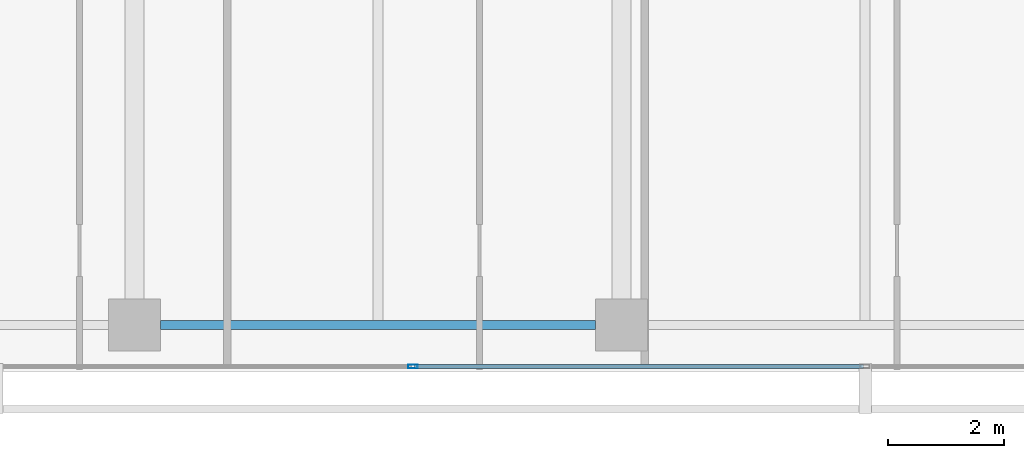
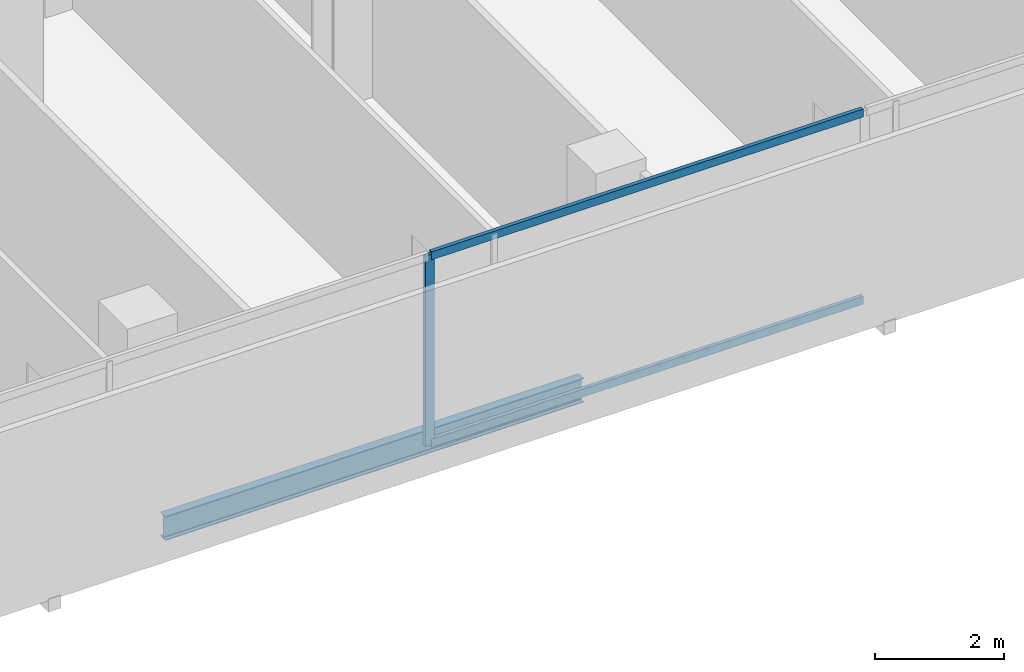
# One storey, part 7 of 41: 3 members, 1 beam, 1 element without a shape of its own.
"""IFC4 building model written with IfcOpenShell, lengths in metres."""

from ifc_helpers import new_model, si_unit, direction, frame, origin, origin_2d, place, context, subcontext, project, spatial, hollow_rectangle, i_section, extrude, material, layer, layer_set, material_profile, profile_set, type_object, element, aggregate, save


model = new_model("IFC4")

# Units and contexts
model_context = context("Model", 3, precision=1e-05, world=origin(), true_north=direction((0.0, 1.0)))
body_context = subcontext(model_context, "Body", "Model", "MODEL_VIEW")
ifc_project = project(units=[si_unit("LENGTHUNIT", "METRE"), si_unit("AREAUNIT", "SQUARE_METRE"), si_unit("VOLUMEUNIT", "CUBIC_METRE"), si_unit("PLANEANGLEUNIT", "RADIAN"), si_unit("MASSUNIT", "GRAM", prefix="KILO")], contexts=[model_context])

# Site, building, storey
site_placement = place(None, origin())
site = spatial("IfcSite", under=ifc_project, at=site_placement, CompositionType="ELEMENT")
building_placement = place(site_placement, origin())
building = spatial("IfcBuilding", under=site, at=building_placement, Name="Maruvema Waterfront Hotel and Observation Tower", CompositionType="ELEMENT")
storey_placement = place(building_placement, frame((0.0, 0.0, 84.699951171875)))
storey = spatial("IfcBuildingStorey", under=building, at=storey_placement, Name="L20", CompositionType="ELEMENT", Elevation=84.699951171875)

# Curtain wall, members
ifc_material_1 = material(Name="Anodised bronze aluminium and solar-control low-E IGU", Category="aluminium")
ifc_layer = layer(ifc_material_1, 0.159912109375, Name="Zone 1 Bronze Inner Thermal Curtain Wall System CW-02")
ifc_layer_set = layer_set([ifc_layer], Name="Anodised bronze aluminium and solar-control low-E IGU")
curtain_wall_type = type_object("IfcCurtainWallType", Name="Zone 1 Bronze Inner Thermal Curtain Wall System CW-02", PredefinedType="USERDEFINED", material=ifc_layer_set)
curtain_wall_placement = place(storey_placement, origin())
curtain_wall = element("IfcCurtainWall", 1, at=curtain_wall_placement, inside=storey, type_object=curtain_wall_type, Name="L20 Curtain Wall CW-L20-S", ObjectType="UNITISED CURTAIN WALL", PredefinedType="USERDEFINED")
ifc_material_2 = material(Name="Anodised architectural bronze aluminium", Category="aluminium")
ifc_material_profile_1 = material_profile(ifc_material_2, hollow_rectangle(XDim=0.070068359375, YDim=0.14990234375, WallThickness=0.00390625, at=origin_2d()), Name="ALU-T70x150")
ifc_profile_set_1 = profile_set([ifc_material_profile_1], Name="Anodised architectural bronze aluminium")
member_type_1 = type_object("IfcMemberType", Name="Curtain Wall Horizontal Transom ALU-T70x150", PredefinedType="USERDEFINED", material=ifc_profile_set_1)
member_1_placement = place(storey_placement, frame((30.030029296875, 0.080078125, 0.030029296875), z_axis=(1.0, 0.0, 0.0), x_axis=(0.0, 1.0, 0.0)))
member_1 = element("IfcMember", 2, at=member_1_placement, type_object=member_type_1, Name="CW-02 transom 3.1", ObjectType="TRANSOM", PredefinedType="USERDEFINED", context=body_context, shape_type="SweptSolid", body=[
    extrude(hollow_rectangle(XDim=0.070068359375, YDim=0.14990234375, WallThickness=0.00390625, at=origin_2d()), origin(), (0.0, 0.0, 1.0), 7.739990234375),
])
member_2_placement = place(storey_placement, frame((30.030029296875, 0.080078125, 3.580078125), z_axis=(1.0, 0.0, 0.0), x_axis=(0.0, 1.0, 0.0)))
member_2 = element("IfcMember", 3, at=member_2_placement, type_object=member_type_1, Name="CW-02 transom 3.2", ObjectType="TRANSOM", PredefinedType="USERDEFINED", context=body_context, shape_type="SweptSolid", body=[
    extrude(hollow_rectangle(XDim=0.070068359375, YDim=0.14990234375, WallThickness=0.00390625, at=origin_2d()), origin(), (0.0, 0.0, 1.0), 7.739990234375),
])
ifc_material_3 = material(Name="Anodised architectural bronze aluminium", Category="aluminium")
ifc_material_profile_2 = material_profile(ifc_material_3, hollow_rectangle(XDim=0.06494140625, YDim=0.1650390625, WallThickness=0.00390625, at=origin_2d()), Name="ALU-M65x165")
ifc_profile_set_2 = profile_set([ifc_material_profile_2], Name="Anodised architectural bronze aluminium")
member_type_2 = type_object("IfcMemberType", Name="Curtain Wall Primary Mullion ALU-M65x165", PredefinedType="MULLION", material=ifc_profile_set_2)
member_3_placement = place(storey_placement, frame((30.0, 0.080078125, 0.0), z_axis=(0.0, 0.0, 1.0), x_axis=(0.0, 1.0, 0.0)))
member_3 = element("IfcMember", 4, at=member_3_placement, type_object=member_type_2, Name="CW-02 mullion 3", PredefinedType="MULLION", context=body_context, shape_type="SweptSolid", body=[
    extrude(hollow_rectangle(XDim=0.06494140625, YDim=0.1650390625, WallThickness=0.00390625, at=origin_2d()), origin(), (0.0, 0.0, 1.0), 3.610107421875),
])
aggregate(curtain_wall, [member_3, member_1, member_2])

# Beam
ifc_material_4 = material(Name="Steel ASTM A572 Grade 50", Category="steel")
ifc_material_profile_3 = material_profile(ifc_material_4, i_section(OverallWidth=0.153076171875, OverallDepth=0.455078125, WebThickness=0.008056640625, FlangeThickness=0.01318359375, FilletRadius=0.014892578125, at=origin_2d()), Name="W460x60.0")
ifc_profile_set_3 = profile_set([ifc_material_profile_3], Name="Steel ASTM A572 Grade 50")
beam_type = type_object("IfcBeamType", Name="Perimeter Spandrel Beam W460x60.0", PredefinedType="SPANDREL", material=ifc_profile_set_3)
beam_placement = place(storey_placement, frame((25.64990234375, 0.800048828125, -0.467529296875), z_axis=(1.0, 0.0, 0.0), x_axis=(0.0, 1.0, 0.0)))
element("IfcBeam", 5, at=beam_placement, inside=storey, type_object=beam_type, Name="L20 Floor Girder EW-02", PredefinedType="SPANDREL", context=body_context, shape_type="SweptSolid", body=[
    extrude(i_section(OverallWidth=0.153076171875, OverallDepth=0.455078125, WebThickness=0.008056640625, FlangeThickness=0.01318359375, FilletRadius=0.014892578125, at=origin_2d()), origin(), (0.0, 0.0, 1.0), 7.5),
])

save(model, "model.ifc")
